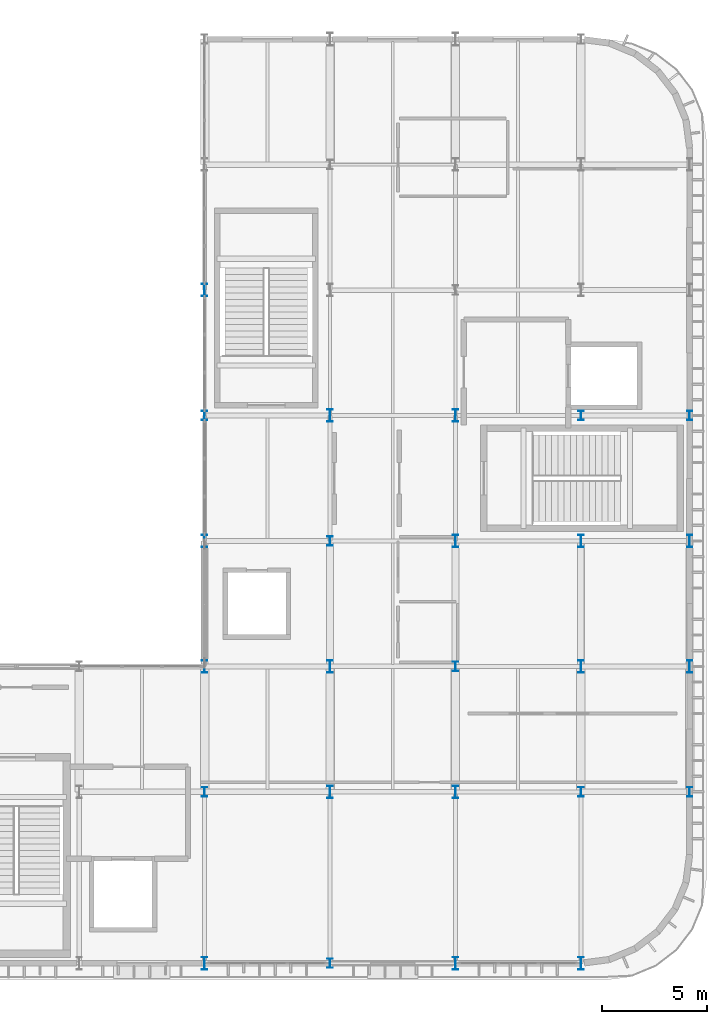
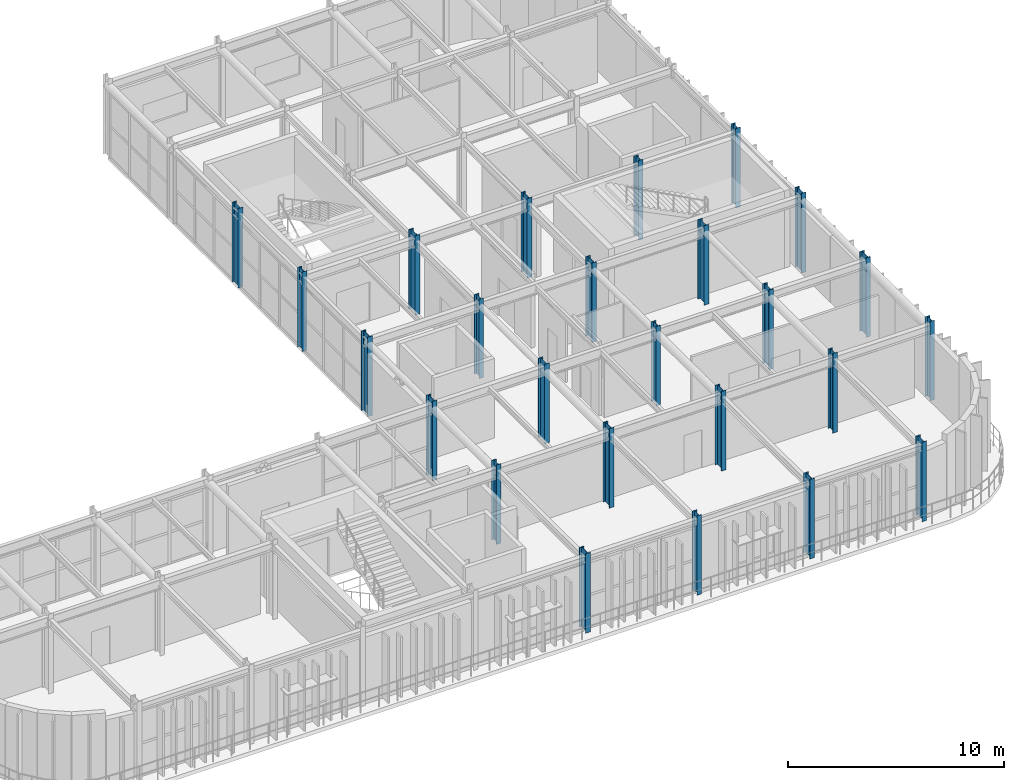
# One storey, part 19 of 96: 25 columns.
"""IFC4 building model written with IfcOpenShell, lengths in metres."""

from ifc_helpers import new_model, si_unit, direction, frame, origin, origin_2d, place, context, subcontext, project, spatial, i_section, extrude, material, material_profile, profile_set, type_object, element, save


model = new_model("IFC4")

# Units and contexts
model_context = context("Model", 3, precision=1e-05, world=origin(), true_north=direction((0.0, 1.0)))
body_context = subcontext(model_context, "Body", "Model", "MODEL_VIEW")
ifc_project = project(units=[si_unit("LENGTHUNIT", "METRE"), si_unit("AREAUNIT", "SQUARE_METRE"), si_unit("VOLUMEUNIT", "CUBIC_METRE"), si_unit("PLANEANGLEUNIT", "RADIAN"), si_unit("MASSUNIT", "GRAM", prefix="KILO")], contexts=[model_context])

# Site, building, storey
site_placement = place(None, origin())
site = spatial("IfcSite", under=ifc_project, at=site_placement, CompositionType="ELEMENT")
building_placement = place(site_placement, origin())
building = spatial("IfcBuilding", under=site, at=building_placement, Name="Varnakota Square Police Headquarters", CompositionType="ELEMENT")
storey_placement = place(building_placement, frame((0.0, 0.0, 4.800048828125)))
storey = spatial("IfcBuildingStorey", under=building, at=storey_placement, Name="L01", CompositionType="ELEMENT", Elevation=4.800048828125)

# Columns
ifc_material = material(Name="Steel IS 2062 Grade 350", Category="steel")
ifc_material_profile_1 = material_profile(ifc_material, i_section(OverallWidth=0.25, OverallDepth=0.449951171875, WebThickness=0.01123046875, FlangeThickness=0.013671875, FilletRadius=0.014892578125, at=origin_2d()), Name="ISHB 450")
ifc_profile_set_1 = profile_set([ifc_material_profile_1], Name="Steel IS 2062 Grade 350")
column_type_1 = type_object("IfcColumnType", Name="COL-ISHB450", PredefinedType="COLUMN", material=ifc_profile_set_1)
for number, where, z_axis, x_axis, name in (
    (1, (138.0, 9.0, 0.0), (0.0, 0.0, 1.0), (1.0, 0.0, 0.0), "Column X1380-Y0090 L01"),
    (2, (138.0, 27.0, 0.0), (0.0, 0.0, 1.0), (1.0, 0.0, 0.0), "Column X1380-Y0270 L01"),
    (3, (144.0, 0.800048828125, 0.0), (0.0, 0.0, 1.0), (1.0, 0.0, 0.0), "Column X1440-Y0008 L01"),
    (4, (144.0, 21.0, 0.0), (0.0, 0.0, 1.0), (1.0, 0.0, 0.0), "Column X1440-Y0210 L01"),
    (5, (150.0, 15.0, 0.0), (0.0, 0.0, 1.0), (1.0, 0.0, 0.0), "Column X1500-Y0150 L01"),
    (6, (156.0, 9.0, 0.0), (0.0, 0.0, 1.0), (1.0, 0.0, 0.0), "Column X1560-Y0090 L01"),
    (7, (156.0, 27.0, 0.0), (0.0, 0.0, 1.0), (1.0, 0.0, 0.0), "Column X1560-Y0270 L01"),
    (8, (161.199951171875, 9.0, 0.0), (0.0, 0.0, 1.0), (1.0, 0.0, 0.0), "Column X1612-Y0090 L01"),
    (9, (161.199951171875, 27.0, 0.0), (0.0, 0.0, 1.0), (1.0, 0.0, 0.0), "Column X1612-Y0270 L01"),
):
    element("IfcColumn", number, at=place(storey_placement, frame(where, z_axis=z_axis, x_axis=x_axis)), inside=storey, type_object=column_type_1, Name=name, PredefinedType="COLUMN", context=body_context, shape_type="SweptSolid", body=[
        extrude(i_section(OverallWidth=0.25, OverallDepth=0.449951171875, WebThickness=0.01123046875, FlangeThickness=0.013671875, FilletRadius=0.014892578125, at=origin_2d()), origin(), (0.0, 0.0, 1.0), 4.5),
    ])
ifc_material_profile_2 = material_profile(ifc_material, i_section(OverallWidth=0.25, OverallDepth=0.60009765625, WebThickness=0.01171875, FlangeThickness=0.023681640625, FilletRadius=0.01708984375, at=origin_2d()), Name="ISWB 600")
ifc_profile_set_2 = profile_set([ifc_material_profile_2], Name="Steel IS 2062 Grade 350")
column_type_2 = type_object("IfcColumnType", Name="COL-ISWB600", PredefinedType="COLUMN", material=ifc_profile_set_2)
for number, where, z_axis, x_axis, name in (
    (10, (138.0, 0.800048828125, 0.0), (0.0, 0.0, 1.0), (1.0, 0.0, 0.0), "Column X1380-Y0008 L01"),
    (11, (138.0, 15.0, 0.0), (0.0, 0.0, 1.0), (1.0, 0.0, 0.0), "Column X1380-Y0150 L01"),
    (12, (138.0, 21.0, 0.0), (0.0, 0.0, 1.0), (1.0, 0.0, 0.0), "Column X1380-Y0210 L01"),
    (13, (138.0, 33.0, 0.0), (0.0, 0.0, 1.0), (1.0, 0.0, 0.0), "Column X1380-Y0330 L01"),
    (14, (144.0, 9.0, 0.0), (0.0, 0.0, 1.0), (1.0, 0.0, 0.0), "Column X1440-Y0090 L01"),
    (15, (144.0, 15.0, 0.0), (0.0, 0.0, 1.0), (1.0, 0.0, 0.0), "Column X1440-Y0150 L01"),
    (16, (144.0, 27.0, 0.0), (0.0, 0.0, 1.0), (1.0, 0.0, 0.0), "Column X1440-Y0270 L01"),
    (17, (150.0, 0.800048828125, 0.0), (0.0, 0.0, 1.0), (1.0, 0.0, 0.0), "Column X1500-Y0008 L01"),
    (18, (150.0, 9.0, 0.0), (0.0, 0.0, 1.0), (1.0, 0.0, 0.0), "Column X1500-Y0090 L01"),
    (19, (150.0, 21.0, 0.0), (0.0, 0.0, 1.0), (1.0, 0.0, 0.0), "Column X1500-Y0210 L01"),
    (20, (150.0, 27.0, 0.0), (0.0, 0.0, 1.0), (1.0, 0.0, 0.0), "Column X1500-Y0270 L01"),
    (21, (156.0, 0.800048828125, 0.0), (0.0, 0.0, 1.0), (1.0, 0.0, 0.0), "Column X1560-Y0008 L01"),
    (22, (156.0, 15.0, 0.0), (0.0, 0.0, 1.0), (1.0, 0.0, 0.0), "Column X1560-Y0150 L01"),
    (23, (156.0, 21.0, 0.0), (0.0, 0.0, 1.0), (1.0, 0.0, 0.0), "Column X1560-Y0210 L01"),
    (24, (161.199951171875, 15.0, 0.0), (0.0, 0.0, 1.0), (1.0, 0.0, 0.0), "Column X1612-Y0150 L01"),
    (25, (161.199951171875, 21.0, 0.0), (0.0, 0.0, 1.0), (1.0, 0.0, 0.0), "Column X1612-Y0210 L01"),
):
    element("IfcColumn", number, at=place(storey_placement, frame(where, z_axis=z_axis, x_axis=x_axis)), inside=storey, type_object=column_type_2, Name=name, PredefinedType="COLUMN", context=body_context, shape_type="SweptSolid", body=[
        extrude(i_section(OverallWidth=0.25, OverallDepth=0.60009765625, WebThickness=0.01171875, FlangeThickness=0.023681640625, FilletRadius=0.01708984375, at=origin_2d()), origin(), (0.0, 0.0, 1.0), 4.5),
    ])

save(model, "model.ifc")
